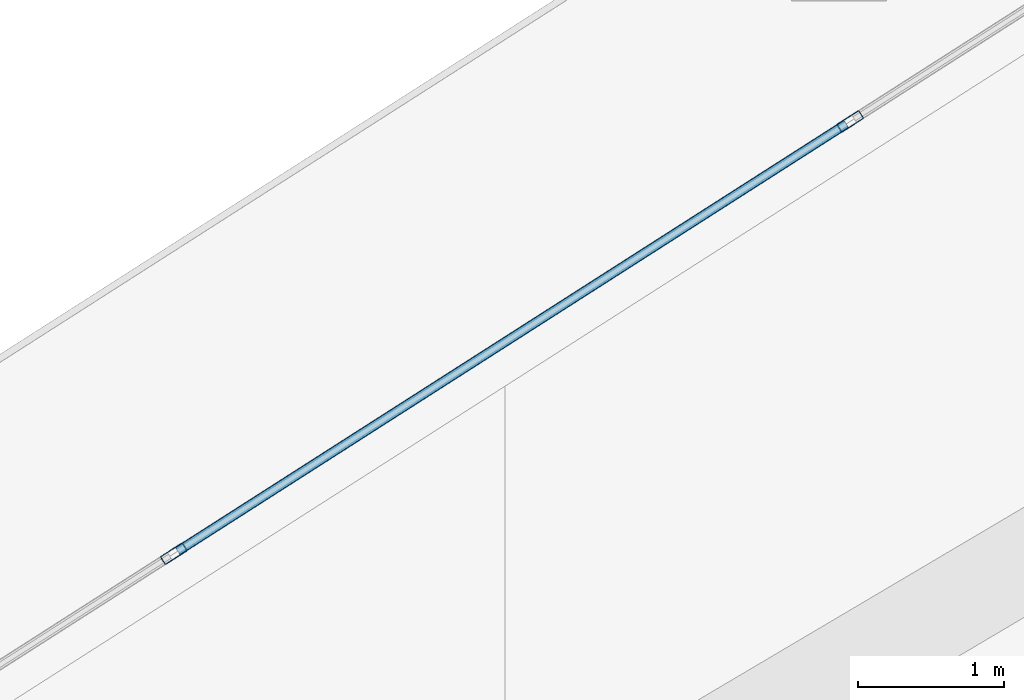
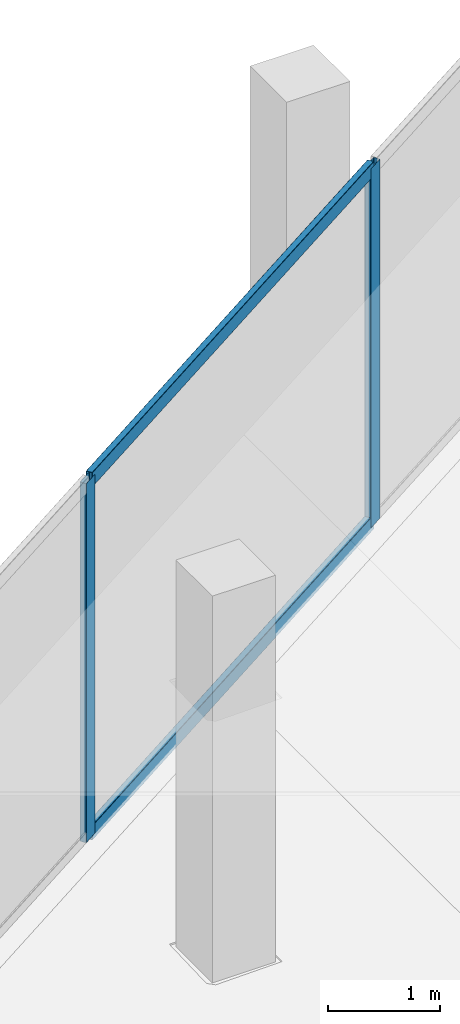
# One storey, part 16 of 45: 4 members, 1 element without a shape of its own.
"""IFC4 building model written with IfcOpenShell, lengths in metres."""

import ifcopenshell
import ifcopenshell.guid

model = None  # the IFC model being written
_history = None  # IfcOwnerHistory: only IFC2X3 demands one
_inside = {}  # id of a spatial element -> (the spatial element, [elements in it])
_under = {}  # id of a project, library or spatial element -> (it, [spatial elements below it])
_declared = {}  # id of a project -> (the project, [libraries it declares])
_typed = {}  # id of a type object -> (the type object, [elements of that type])
_made_of = {}  # id of a material, layer set ... -> (it, [elements and type objects made of it])


def new_model(schema):
    """Start an empty IFC model of exactly this schema.

    Asked for "IFC4X3", IfcOpenShell would pick the latest addendum, in which some entities
    have other attributes; the version numbers below select the first issue.
    IFC2X3 requires an IfcOwnerHistory on every rooted entity: one is made here for all.
    """
    global model, _history
    if schema == "IFC4X3":
        model = ifcopenshell.file(schema_version=(4, 3, 0, 0))
    else:
        model = ifcopenshell.file(schema=schema)
    _inside.clear()
    _under.clear()
    _declared.clear()
    _typed.clear()
    _made_of.clear()
    _history = None
    if model.schema == "IFC2X3":
        org = make("IfcOrganization", Name="unknown")
        user = make(
            "IfcPersonAndOrganization",
            ThePerson=make("IfcPerson", FamilyName="unknown"),
            TheOrganization=org,
        )
        app = make(
            "IfcApplication",
            ApplicationDeveloper=org,
            Version="unknown",
            ApplicationFullName="unknown",
            ApplicationIdentifier="unknown",
        )
        _history = make(
            "IfcOwnerHistory",
            OwningUser=user,
            OwningApplication=app,
            ChangeAction="ADDED",
            CreationDate=0,
        )
    return model


def make(cls, **values):
    """One entity of the class cls with the attributes given. An attribute that is None is left unset."""
    return model.create_entity(
        cls, **{name: value for name, value in values.items() if value is not None}
    )


def rooted(cls, **values):
    """An entity with a GlobalId (a new one), such as an element, a storey or a relation."""
    return make(cls, GlobalId=ifcopenshell.guid.new(), OwnerHistory=_history, **values)


def si_unit(unit_type, name, prefix=None):
    """IfcSIUnit, for example si_unit("LENGTHUNIT", "METRE", prefix="MILLI")."""
    return make("IfcSIUnit", UnitType=unit_type, Prefix=prefix, Name=name)


def assignment(units):
    """IfcUnitAssignment: the units of a project."""
    return None if units is None else make("IfcUnitAssignment", Units=units)


def point(xyz):
    """IfcCartesianPoint."""
    return None if xyz is None else make("IfcCartesianPoint", Coordinates=xyz)


def direction(xyz):
    """IfcDirection."""
    return None if xyz is None else make("IfcDirection", DirectionRatios=xyz)


def frame(location, z_axis=None, x_axis=None):
    """IfcAxis2Placement3D, a coordinate frame: its origin and axes. An axis left out is left unset."""
    return make(
        "IfcAxis2Placement3D",
        Location=point(location),
        Axis=direction(z_axis),
        RefDirection=direction(x_axis),
    )


def frame_2d(location, x_axis=None):
    """IfcAxis2Placement2D, a coordinate frame in the plane: its origin and x axis."""
    return make(
        "IfcAxis2Placement2D", Location=point(location), RefDirection=direction(x_axis)
    )


def origin():
    """The frame at (0, 0, 0) with its axes left unset."""
    return frame((0.0, 0.0, 0.0))


def origin_2d():
    """The frame at (0, 0) in the plane with its x axis left unset."""
    return frame_2d((0.0, 0.0))


def place(relative_to, where):
    """IfcLocalPlacement: puts the frame where relative to a parent placement (None: the world)."""
    return make(
        "IfcLocalPlacement", PlacementRelTo=relative_to, RelativePlacement=where
    )


def context(
    kind, dimensions, precision=None, world=None, true_north=None, identifier=None
):
    """IfcGeometricRepresentationContext, for example the 3D "Model" context."""
    return make(
        "IfcGeometricRepresentationContext",
        ContextIdentifier=identifier,
        ContextType=kind,
        CoordinateSpaceDimension=dimensions,
        Precision=precision,
        WorldCoordinateSystem=world,
        TrueNorth=true_north,
    )


def subcontext(parent, identifier, kind, view, scale=None):
    """IfcGeometricRepresentationSubContext, for example "Body" below "Model"."""
    return make(
        "IfcGeometricRepresentationSubContext",
        ContextIdentifier=identifier,
        ContextType=kind,
        ParentContext=parent,
        TargetScale=scale,
        TargetView=view,
    )


def project(units=None, contexts=None):
    """IfcProject with its units and contexts."""
    return rooted(
        "IfcProject",
        Name="project",
        RepresentationContexts=contexts,
        UnitsInContext=assignment(units),
    )


def spatial(cls, under=None, at=None, **own):
    """A site, building, storey or space (cls), placed at a placement, below another one or the project."""
    s = rooted(cls, ObjectPlacement=at, **own)
    if under is not None:
        _under.setdefault(under.id(), (under, []))[1].append(s)
    return s


def profile(cls, at=None, kind="AREA", **sizes):
    """A parametric profile (cls). Its sizes go by their IFC names, for example OverallWidth=200.0."""
    return make(cls, ProfileType=kind, Position=at, **sizes)


def hollow_rectangle(**sizes):
    """IfcRectangleHollowProfileDef."""
    return profile("IfcRectangleHollowProfileDef", **sizes)


def extrude(swept, where, along, depth):
    """IfcExtrudedAreaSolid: the profile swept, set in the frame where, extruded along a direction by depth."""
    return make(
        "IfcExtrudedAreaSolid",
        SweptArea=swept,
        Position=where,
        ExtrudedDirection=direction(along),
        Depth=depth,
    )


def shape(context_of_items, identifier, shape_type, items):
    """IfcShapeRepresentation: the items that make up one representation, for example the "Body"."""
    return make(
        "IfcShapeRepresentation",
        ContextOfItems=context_of_items,
        RepresentationIdentifier=identifier,
        RepresentationType=shape_type,
        Items=items,
    )


def material(Name=None, Category=None):
    """IfcMaterial."""
    return make("IfcMaterial", Name=Name, Category=Category)


def layer(
    of_material, thickness, ventilated=None, Name=None, Category=None, Priority=None
):
    """IfcMaterialLayer: one layer of a wall or slab, of a material (None: an air gap)."""
    return make(
        "IfcMaterialLayer",
        Material=of_material,
        LayerThickness=thickness,
        IsVentilated=ventilated,
        Name=Name,
        Category=Category,
        Priority=Priority,
    )


def layer_set(layers, Name=None):
    """IfcMaterialLayerSet."""
    return make("IfcMaterialLayerSet", MaterialLayers=layers, LayerSetName=Name)


def material_profile(
    of_material, cross_section, Name=None, Category=None, Priority=None
):
    """IfcMaterialProfile: a cross section and its material."""
    return make(
        "IfcMaterialProfile",
        Name=Name,
        Material=of_material,
        Profile=cross_section,
        Priority=Priority,
        Category=Category,
    )


def profile_set(profiles, Name=None, composite=None):
    """IfcMaterialProfileSet."""
    return make(
        "IfcMaterialProfileSet",
        Name=Name,
        MaterialProfiles=profiles,
        CompositeProfile=composite,
    )


def made_of(thing, what):
    """Note that an element or type object is made of a material, layer set ...; save() writes the relation."""
    if what is not None:
        _made_of.setdefault(what.id(), (what, []))[1].append(thing)
    return thing


def type_object(cls, material=None, **own):
    """A type object (cls), such as IfcWallType, which elements share."""
    return made_of(rooted(cls, **own), material)


def element(
    cls,
    number,
    at=None,
    inside=None,
    cuts=None,
    type_object=None,
    material=None,
    context=None,
    identifier="Body",
    shape_type=None,
    held_by="IfcProductDefinitionShape",
    body=None,
    shapes=None,
    **own,
):
    """One element of the class cls, such as IfcWall. Its Tag is "e" and its number.

    at: its placement. inside: the storey or other place that contains it. cuts: it is an
    opening in that element (IfcRelVoidsElement). A single representation is given by context,
    identifier, shape_type and body (its items); several are given by shapes. held_by: the class
    of the entity that holds the representations. save() writes the other relations.
    """
    e = rooted(cls, Tag="e%d" % number, ObjectPlacement=at, **own)
    if body is not None:
        shapes = [shape(context, identifier, shape_type, body)]
    if shapes is not None:
        e.Representation = make(held_by, Representations=shapes)
    if inside is not None:
        _inside.setdefault(inside.id(), (inside, []))[1].append(e)
    if cuts is not None:
        rooted(
            "IfcRelVoidsElement", RelatingBuildingElement=cuts, RelatedOpeningElement=e
        )
    if type_object is not None:
        _typed.setdefault(type_object.id(), (type_object, []))[1].append(e)
    return made_of(e, material)


def aggregate(whole, parts):
    """IfcRelAggregates: a whole, such as a stair, and the parts it consists of."""
    return rooted("IfcRelAggregates", RelatingObject=whole, RelatedObjects=parts)


def save(model, path):
    """Write the relations noted so far, then the file.

    IfcRelAggregates (storeys below a building ...), IfcRelContainedInSpatialStructure (elements
    in a storey), IfcRelDefinesByType, IfcRelAssociatesMaterial and IfcRelDeclares: one each for
    every whole, place, type object, material and project.
    """
    for whole, parts in _under.values():
        aggregate(whole, parts)
    for where, things in _inside.values():
        rooted(
            "IfcRelContainedInSpatialStructure",
            RelatedElements=things,
            RelatingStructure=where,
        )
    for kind, things in _typed.values():
        rooted("IfcRelDefinesByType", RelatedObjects=things, RelatingType=kind)
    for what, things in _made_of.values():
        rooted("IfcRelAssociatesMaterial", RelatedObjects=things, RelatingMaterial=what)
    for by, libraries in _declared.values():
        rooted("IfcRelDeclares", RelatingContext=by, RelatedDefinitions=libraries)
    model.write(path)


model = new_model("IFC4")

# Units and contexts
model_context = context("Model", 3, precision=1e-05, world=origin(), true_north=direction((0.0, 1.0)))
body_context = subcontext(model_context, "Body", "Model", "MODEL_VIEW")
ifc_project = project(units=[si_unit("LENGTHUNIT", "METRE"), si_unit("AREAUNIT", "SQUARE_METRE"), si_unit("VOLUMEUNIT", "CUBIC_METRE"), si_unit("PLANEANGLEUNIT", "RADIAN"), si_unit("MASSUNIT", "GRAM", prefix="KILO")], contexts=[model_context])

# Site, building, storey
site_placement = place(None, origin())
site = spatial("IfcSite", under=ifc_project, at=site_placement, CompositionType="ELEMENT")
building_placement = place(site_placement, origin())
building = spatial("IfcBuilding", under=site, at=building_placement, Name="Qorvath Tower", CompositionType="ELEMENT")
storey_placement = place(building_placement, frame((0.0, 0.0, 95.39990234375)))
storey = spatial("IfcBuildingStorey", under=building, at=storey_placement, Name="L21", CompositionType="ELEMENT", Elevation=95.39990234375)

# Curtain wall, members
ifc_material_1 = material(Name="Anodised aluminium and triple low-E glass", Category="aluminium")
ifc_layer = layer(ifc_material_1, 0.179931640625)
ifc_layer_set = layer_set([ifc_layer], Name="CW-SYS-2")
curtain_wall_type = type_object("IfcCurtainWallType", Name="CW-SYS-2", PredefinedType="NOTDEFINED", material=ifc_layer_set)
curtain_wall_placement = place(storey_placement, origin())
curtain_wall = element("IfcCurtainWall", 1, at=curtain_wall_placement, inside=storey, type_object=curtain_wall_type, Name="Curtain Wall CW-2 CW-T-L21-16.4", PredefinedType="NOTDEFINED")
ifc_material_2 = material(Name="Anodised aluminium 6063-T6", Category="aluminium")
ifc_material_profile_1 = material_profile(ifc_material_2, hollow_rectangle(XDim=0.06494140625, YDim=0.179931640625, WallThickness=0.00341796875, InnerFilletRadius=0.00341796875, OuterFilletRadius=0.007080078125, at=origin_2d()), Name="CWM 180x65")
ifc_profile_set_1 = profile_set([ifc_material_profile_1], Name="Anodised aluminium 6063-T6")
member_type_1 = type_object("IfcMemberType", Name="CWM-180", PredefinedType="MULLION", material=ifc_profile_set_1)
member_1_placement = place(storey_placement, frame((-40.255859375, 15.805419921875, 0.0), z_axis=(0.0, 0.0, 1.0), x_axis=(0.53852928912, -0.842606791309, 0.0)))
member_1 = element("IfcMember", 2, at=member_1_placement, type_object=member_type_1, Name="CW-2 mullion 2", PredefinedType="MULLION", context=body_context, shape_type="SweptSolid", body=[
    extrude(hollow_rectangle(XDim=0.06494140625, YDim=0.179931640625, WallThickness=0.00341796875, InnerFilletRadius=0.00341796875, OuterFilletRadius=0.007080078125, at=origin_2d()), origin(), (0.0, 0.0, 1.0), 3.900146484375),
])
member_2_placement = place(storey_placement, frame((-44.89013671875, 12.843505859375, 0.0), z_axis=(0.0, 0.0, 1.0), x_axis=(0.53852928912, -0.842606791309, 0.0)))
member_2 = element("IfcMember", 3, at=member_2_placement, type_object=member_type_1, Name="CW-2 mullion 3", PredefinedType="MULLION", context=body_context, shape_type="SweptSolid", body=[
    extrude(hollow_rectangle(XDim=0.06494140625, YDim=0.179931640625, WallThickness=0.00341796875, InnerFilletRadius=0.00341796875, OuterFilletRadius=0.007080078125, at=origin_2d()), origin(), (0.0, 0.0, 1.0), 3.900146484375),
])
ifc_material_3 = material(Name="Anodised aluminium 6063-T6", Category="aluminium")
ifc_material_profile_2 = material_profile(ifc_material_3, hollow_rectangle(XDim=0.06494140625, YDim=0.159912109375, WallThickness=0.00341796875, InnerFilletRadius=0.00341796875, OuterFilletRadius=0.007080078125, at=origin_2d()), Name="CWT 160x65")
ifc_profile_set_2 = profile_set([ifc_material_profile_2], Name="Anodised aluminium 6063-T6")
member_type_2 = type_object("IfcMemberType", Name="CWT-160", PredefinedType="USERDEFINED", material=ifc_profile_set_2)
member_3_placement = place(storey_placement, frame((-40.283203125, 15.787841796875, 0.032470703125), z_axis=(-0.842620391035, -0.538508009794, 0.0), x_axis=(0.538508009794, -0.842620391035, 0.0)))
member_3 = element("IfcMember", 4, at=member_3_placement, type_object=member_type_2, Name="CW-2 transom 2.1", ObjectType="TRANSOM", PredefinedType="USERDEFINED", context=body_context, shape_type="SweptSolid", body=[
    extrude(hollow_rectangle(XDim=0.06494140625, YDim=0.159912109375, WallThickness=0.00341796875, InnerFilletRadius=0.00341796875, OuterFilletRadius=0.007080078125, at=origin_2d()), origin(), (0.0, 0.0, 1.0), 5.43505859375),
])
member_4_placement = place(storey_placement, frame((-40.283203125, 15.787841796875, 3.86767578125), z_axis=(-0.842620391035, -0.538508009794, 0.0), x_axis=(0.538508009794, -0.842620391035, 0.0)))
member_4 = element("IfcMember", 5, at=member_4_placement, type_object=member_type_2, Name="CW-2 transom 2.2", ObjectType="TRANSOM", PredefinedType="USERDEFINED", context=body_context, shape_type="SweptSolid", body=[
    extrude(hollow_rectangle(XDim=0.06494140625, YDim=0.159912109375, WallThickness=0.00341796875, InnerFilletRadius=0.00341796875, OuterFilletRadius=0.007080078125, at=origin_2d()), origin(), (0.0, 0.0, 1.0), 5.43505859375),
])
aggregate(curtain_wall, [member_1, member_2, member_3, member_4])

save(model, "model.ifc")
